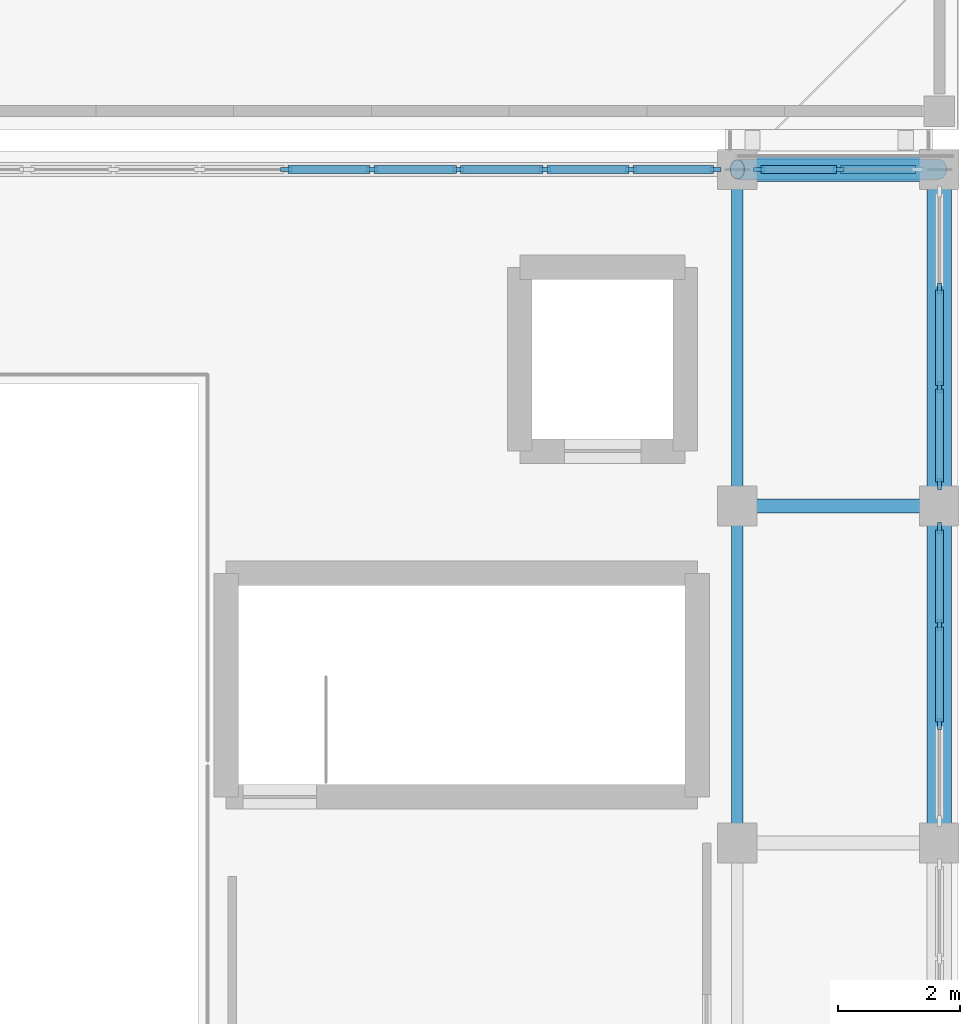
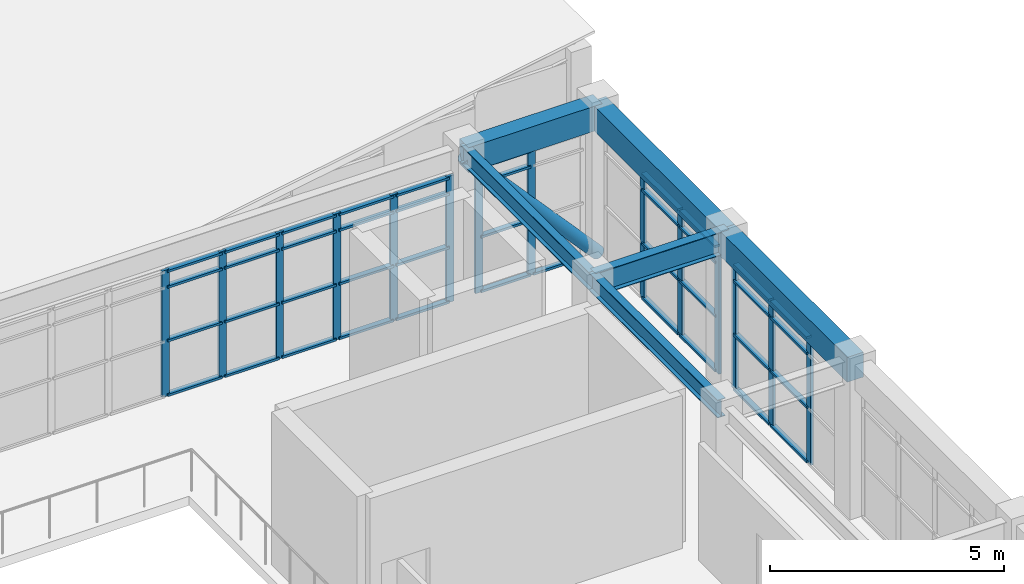
# One storey, part 27 of 66: 56 members, 6 beams, 4 elements without a shape of their own.
"""IFC4 building model written with IfcOpenShell, lengths in metres."""

from ifc_helpers import new_model, si_unit, direction, frame, origin, origin_2d, place, context, subcontext, project, spatial, rectangle, hollow_circle, i_section, extrude, material, layer, layer_set, material_profile, profile_set, type_object, element, aggregate, save


model = new_model("IFC4")

# Units and contexts
model_context = context("Model", 3, precision=1e-05, world=origin(), true_north=direction((0.0, 1.0)))
body_context = subcontext(model_context, "Body", "Model", "MODEL_VIEW")
ifc_project = project(units=[si_unit("LENGTHUNIT", "METRE"), si_unit("AREAUNIT", "SQUARE_METRE"), si_unit("VOLUMEUNIT", "CUBIC_METRE"), si_unit("PLANEANGLEUNIT", "RADIAN"), si_unit("MASSUNIT", "GRAM", prefix="KILO")], contexts=[model_context])

# Site, building, storey
site_placement = place(None, origin())
site = spatial("IfcSite", under=ifc_project, at=site_placement, CompositionType="ELEMENT")
building_placement = place(site_placement, origin())
building = spatial("IfcBuilding", under=site, at=building_placement, Name="Candilejo Ridge Gondola Terminal", CompositionType="ELEMENT")
storey_placement = place(building_placement, frame((0.0, 0.0, 14.39990234375)))
storey = spatial("IfcBuildingStorey", under=building, at=storey_placement, Name="L03", CompositionType="ELEMENT", Elevation=14.39990234375)

# Curtain wall, members
ifc_material_1 = material(Name="Anodised aluminium AA 6063-T6", Category="aluminium")
ifc_layer_1 = layer(ifc_material_1, 0.169921875)
ifc_layer_set_1 = layer_set([ifc_layer_1], Name="ARC-CW-HALL-3800-485X329")
curtain_wall_type_1 = type_object("IfcCurtainWallType", Name="ARC-CW-HALL-3800-485X329", PredefinedType="NOTDEFINED", material=ifc_layer_set_1)
curtain_wall_1_placement = place(storey_placement, origin())
curtain_wall_1 = element("IfcCurtainWall", 1, at=curtain_wall_1_placement, inside=storey, type_object=curtain_wall_type_1, Name="Curtain wall V4 L03-161", PredefinedType="NOTDEFINED")
ifc_material_2 = material(Name="Anodised aluminium AA 6063-T6", Category="aluminium")
ifc_material_profile_1 = material_profile(ifc_material_2, rectangle(XDim=0.06494140625, YDim=0.179931640625, at=origin_2d()))
ifc_profile_set_1 = profile_set([ifc_material_profile_1], Name="Anodised aluminium AA 6063-T6")
member_type_1 = type_object("IfcMemberType", Name="ARC-CW-MULLION-180", PredefinedType="MULLION", material=ifc_profile_set_1)
member_1_placement = place(storey_placement, frame((175.300048828125, 38.6416015625, 0.0), z_axis=(0.0, 0.0, 1.0), x_axis=(-1.0, 0.0, 0.0)))
member_1 = element("IfcMember", 2, at=member_1_placement, type_object=member_type_1, Name="CW-48X32 mullion 2", PredefinedType="MULLION", context=body_context, shape_type="SweptSolid", body=[
    extrude(rectangle(XDim=0.06494140625, YDim=0.179931640625, at=origin_2d()), origin(), (0.0, 0.0, 1.0), 3.2900390625),
])
member_2_placement = place(storey_placement, frame((175.300048828125, 40.25830078125, 0.0), z_axis=(0.0, 0.0, 1.0), x_axis=(-1.0, 0.0, 0.0)))
member_2 = element("IfcMember", 3, at=member_2_placement, type_object=member_type_1, Name="CW-48X32 mullion 3", PredefinedType="MULLION", context=body_context, shape_type="SweptSolid", body=[
    extrude(rectangle(XDim=0.06494140625, YDim=0.179931640625, at=origin_2d()), origin(), (0.0, 0.0, 1.0), 3.2900390625),
])
member_3_placement = place(storey_placement, frame((175.300048828125, 41.842529296875, 0.0), z_axis=(0.0, 0.0, 1.0), x_axis=(-1.0, 0.0, 0.0)))
member_3 = element("IfcMember", 4, at=member_3_placement, type_object=member_type_1, Name="CW-48X32 mullion 4", PredefinedType="MULLION", context=body_context, shape_type="SweptSolid", body=[
    extrude(rectangle(XDim=0.06494140625, YDim=0.179931640625, at=origin_2d()), origin(), (0.0, 0.0, 1.0), 3.2900390625),
])

curtain_wall_2_placement = place(storey_placement, origin())
curtain_wall_2 = element("IfcCurtainWall", 5, at=curtain_wall_2_placement, inside=storey, type_object=curtain_wall_type_1, Name="Curtain wall V4 L03-163", PredefinedType="NOTDEFINED")
member_4_placement = place(storey_placement, frame((175.300048828125, 42.5576171875, 0.0), z_axis=(0.0, 0.0, 1.0), x_axis=(-1.0, 0.0, 0.0)))
member_4 = element("IfcMember", 6, at=member_4_placement, type_object=member_type_1, Name="CW-48X32 mullion 1", PredefinedType="MULLION", context=body_context, shape_type="SweptSolid", body=[
    extrude(rectangle(XDim=0.06494140625, YDim=0.179931640625, at=origin_2d()), origin(), (0.0, 0.0, 1.0), 3.2900390625),
])
member_5_placement = place(storey_placement, frame((175.300048828125, 44.1416015625, 0.0), z_axis=(0.0, 0.0, 1.0), x_axis=(-1.0, 0.0, 0.0)))
member_5 = element("IfcMember", 7, at=member_5_placement, type_object=member_type_1, Name="CW-48X32 mullion 2", PredefinedType="MULLION", context=body_context, shape_type="SweptSolid", body=[
    extrude(rectangle(XDim=0.06494140625, YDim=0.179931640625, at=origin_2d()), origin(), (0.0, 0.0, 1.0), 3.2900390625),
])
member_6_placement = place(storey_placement, frame((175.300048828125, 45.75830078125, 0.0), z_axis=(0.0, 0.0, 1.0), x_axis=(-1.0, 0.0, 0.0)))
member_6 = element("IfcMember", 8, at=member_6_placement, type_object=member_type_1, Name="CW-48X32 mullion 3", PredefinedType="MULLION", context=body_context, shape_type="SweptSolid", body=[
    extrude(rectangle(XDim=0.06494140625, YDim=0.179931640625, at=origin_2d()), origin(), (0.0, 0.0, 1.0), 3.2900390625),
])

ifc_material_3 = material(Name="Anodised aluminium AA 6063-T6", Category="aluminium")
ifc_layer_2 = layer(ifc_material_3, 0.169921875)
ifc_layer_set_2 = layer_set([ifc_layer_2], Name="ARC-CW-HALL-3800-265X329")
curtain_wall_type_2 = type_object("IfcCurtainWallType", Name="ARC-CW-HALL-3800-265X329", PredefinedType="NOTDEFINED", material=ifc_layer_set_2)
curtain_wall_3_placement = place(storey_placement, origin())
curtain_wall_3 = element("IfcCurtainWall", 9, at=curtain_wall_3_placement, inside=storey, type_object=curtain_wall_type_2, Name="Curtain wall V4 L03-170", PredefinedType="NOTDEFINED")
member_7_placement = place(storey_placement, frame((172.357421875, 47.699951171875, 0.0), z_axis=(0.0, 0.0, 1.0), x_axis=(0.0, 1.0, 0.0)))
member_7 = element("IfcMember", 10, at=member_7_placement, type_object=member_type_1, Name="CW-26X32 mullion 1", PredefinedType="MULLION", context=body_context, shape_type="SweptSolid", body=[
    extrude(rectangle(XDim=0.06494140625, YDim=0.179931640625, at=origin_2d()), origin(), (0.0, 0.0, 1.0), 3.2900390625),
])
member_8_placement = place(storey_placement, frame((173.64990234375, 47.699951171875, 0.0), z_axis=(0.0, 0.0, 1.0), x_axis=(0.0, 1.0, 0.0)))
member_8 = element("IfcMember", 11, at=member_8_placement, type_object=member_type_1, Name="CW-26X32 mullion 2", PredefinedType="MULLION", context=body_context, shape_type="SweptSolid", body=[
    extrude(rectangle(XDim=0.06494140625, YDim=0.179931640625, at=origin_2d()), origin(), (0.0, 0.0, 1.0), 3.2900390625),
])

ifc_material_4 = material(Name="Anodised aluminium AA 6063-T6", Category="aluminium")
ifc_layer_3 = layer(ifc_material_4, 0.169921875)
ifc_layer_set_3 = layer_set([ifc_layer_3], Name="ARC-CW-HALL-3800-1128X329")
curtain_wall_type_3 = type_object("IfcCurtainWallType", Name="ARC-CW-HALL-3800-1128X329", PredefinedType="NOTDEFINED", material=ifc_layer_set_3)
curtain_wall_4_placement = place(storey_placement, origin())
curtain_wall_4 = element("IfcCurtainWall", 12, at=curtain_wall_4_placement, inside=storey, type_object=curtain_wall_type_3, Name="Curtain wall V4 L03-173", PredefinedType="NOTDEFINED")
member_9_placement = place(storey_placement, frame((164.628173828125, 47.699951171875, 0.0), z_axis=(0.0, 0.0, 1.0), x_axis=(0.0, 1.0, 0.0)))
member_9 = element("IfcMember", 13, at=member_9_placement, type_object=member_type_1, Name="CW-112X32 mullion 4", PredefinedType="MULLION", context=body_context, shape_type="SweptSolid", body=[
    extrude(rectangle(XDim=0.06494140625, YDim=0.179931640625, at=origin_2d()), origin(), (0.0, 0.0, 1.0), 3.2900390625),
])
member_10_placement = place(storey_placement, frame((166.03759765625, 47.699951171875, 0.0), z_axis=(0.0, 0.0, 1.0), x_axis=(0.0, 1.0, 0.0)))
member_10 = element("IfcMember", 14, at=member_10_placement, type_object=member_type_1, Name="CW-112X32 mullion 5", PredefinedType="MULLION", context=body_context, shape_type="SweptSolid", body=[
    extrude(rectangle(XDim=0.06494140625, YDim=0.179931640625, at=origin_2d()), origin(), (0.0, 0.0, 1.0), 3.2900390625),
])
member_11_placement = place(storey_placement, frame((167.44677734375, 47.699951171875, 0.0), z_axis=(0.0, 0.0, 1.0), x_axis=(0.0, 1.0, 0.0)))
member_11 = element("IfcMember", 15, at=member_11_placement, type_object=member_type_1, Name="CW-112X32 mullion 6", PredefinedType="MULLION", context=body_context, shape_type="SweptSolid", body=[
    extrude(rectangle(XDim=0.06494140625, YDim=0.179931640625, at=origin_2d()), origin(), (0.0, 0.0, 1.0), 3.2900390625),
])
member_12_placement = place(storey_placement, frame((168.856201171875, 47.699951171875, 0.0), z_axis=(0.0, 0.0, 1.0), x_axis=(0.0, 1.0, 0.0)))
member_12 = element("IfcMember", 16, at=member_12_placement, type_object=member_type_1, Name="CW-112X32 mullion 7", PredefinedType="MULLION", context=body_context, shape_type="SweptSolid", body=[
    extrude(rectangle(XDim=0.06494140625, YDim=0.179931640625, at=origin_2d()), origin(), (0.0, 0.0, 1.0), 3.2900390625),
])
member_13_placement = place(storey_placement, frame((170.265625, 47.699951171875, 0.0), z_axis=(0.0, 0.0, 1.0), x_axis=(0.0, 1.0, 0.0)))
member_13 = element("IfcMember", 17, at=member_13_placement, type_object=member_type_1, Name="CW-112X32 mullion 8", PredefinedType="MULLION", context=body_context, shape_type="SweptSolid", body=[
    extrude(rectangle(XDim=0.06494140625, YDim=0.179931640625, at=origin_2d()), origin(), (0.0, 0.0, 1.0), 3.2900390625),
])
member_14_placement = place(storey_placement, frame((171.642578125, 47.699951171875, 0.0), z_axis=(0.0, 0.0, 1.0), x_axis=(0.0, 1.0, 0.0)))
member_14 = element("IfcMember", 18, at=member_14_placement, type_object=member_type_1, Name="CW-112X32 mullion 9", PredefinedType="MULLION", context=body_context, shape_type="SweptSolid", body=[
    extrude(rectangle(XDim=0.06494140625, YDim=0.179931640625, at=origin_2d()), origin(), (0.0, 0.0, 1.0), 3.2900390625),
])

# Member
ifc_material_5 = material(Name="Anodised aluminium AA 6063-T6", Category="aluminium")
ifc_material_profile_2 = material_profile(ifc_material_5, rectangle(XDim=0.1298828125, YDim=0.06005859375, at=origin_2d()))
ifc_profile_set_2 = profile_set([ifc_material_profile_2], Name="Anodised aluminium AA 6063-T6")
member_type_2 = type_object("IfcMemberType", Name="ARC-CW-TRANSOM-130", PredefinedType="USERDEFINED", material=ifc_profile_set_2)
member_15_placement = place(storey_placement, frame((175.300048828125, 38.674072265625, 0.030029296875), z_axis=(0.0, 1.0, 0.0), x_axis=(-1.0, 0.0, 0.0)))
member_15 = element("IfcMember", 19, at=member_15_placement, type_object=member_type_2, Name="CW-48X32 transom 2.1", ObjectType="TRANSOM", PredefinedType="USERDEFINED", context=body_context, shape_type="SweptSolid", body=[
    extrude(rectangle(XDim=0.1298828125, YDim=0.06005859375, at=origin_2d()), origin(), (0.0, 0.0, 1.0), 1.5517578125),
])

member_16_placement = place(storey_placement, frame((175.300048828125, 38.674072265625, 1.4501953125), z_axis=(0.0, 1.0, 0.0), x_axis=(-1.0, 0.0, 0.0)))
member_16 = element("IfcMember", 20, at=member_16_placement, type_object=member_type_2, Name="CW-48X32 transom 2.2", ObjectType="TRANSOM", PredefinedType="USERDEFINED", context=body_context, shape_type="SweptSolid", body=[
    extrude(rectangle(XDim=0.1298828125, YDim=0.06005859375, at=origin_2d()), origin(), (0.0, 0.0, 1.0), 1.5517578125),
])

member_17_placement = place(storey_placement, frame((175.300048828125, 38.674072265625, 2.85009765625), z_axis=(0.0, 1.0, 0.0), x_axis=(-1.0, 0.0, 0.0)))
member_17 = element("IfcMember", 21, at=member_17_placement, type_object=member_type_2, Name="CW-48X32 transom 2.3", ObjectType="TRANSOM", PredefinedType="USERDEFINED", context=body_context, shape_type="SweptSolid", body=[
    extrude(rectangle(XDim=0.1298828125, YDim=0.06005859375, at=origin_2d()), origin(), (0.0, 0.0, 1.0), 1.5517578125),
])

member_18_placement = place(storey_placement, frame((175.300048828125, 38.674072265625, 3.260009765625), z_axis=(0.0, 1.0, 0.0), x_axis=(-1.0, 0.0, 0.0)))
member_18 = element("IfcMember", 22, at=member_18_placement, type_object=member_type_2, Name="CW-48X32 transom 2.4", ObjectType="TRANSOM", PredefinedType="USERDEFINED", context=body_context, shape_type="SweptSolid", body=[
    extrude(rectangle(XDim=0.1298828125, YDim=0.06005859375, at=origin_2d()), origin(), (0.0, 0.0, 1.0), 1.5517578125),
])

member_19_placement = place(storey_placement, frame((175.300048828125, 40.290771484375, 0.030029296875), z_axis=(0.0, 1.0, 0.0), x_axis=(-1.0, 0.0, 0.0)))
member_19 = element("IfcMember", 23, at=member_19_placement, type_object=member_type_2, Name="CW-48X32 transom 3.1", ObjectType="TRANSOM", PredefinedType="USERDEFINED", context=body_context, shape_type="SweptSolid", body=[
    extrude(rectangle(XDim=0.1298828125, YDim=0.06005859375, at=origin_2d()), origin(), (0.0, 0.0, 1.0), 1.519287109375),
])

member_20_placement = place(storey_placement, frame((175.300048828125, 40.290771484375, 1.4501953125), z_axis=(0.0, 1.0, 0.0), x_axis=(-1.0, 0.0, 0.0)))
member_20 = element("IfcMember", 24, at=member_20_placement, type_object=member_type_2, Name="CW-48X32 transom 3.2", ObjectType="TRANSOM", PredefinedType="USERDEFINED", context=body_context, shape_type="SweptSolid", body=[
    extrude(rectangle(XDim=0.1298828125, YDim=0.06005859375, at=origin_2d()), origin(), (0.0, 0.0, 1.0), 1.519287109375),
])

member_21_placement = place(storey_placement, frame((175.300048828125, 40.290771484375, 2.85009765625), z_axis=(0.0, 1.0, 0.0), x_axis=(-1.0, 0.0, 0.0)))
member_21 = element("IfcMember", 25, at=member_21_placement, type_object=member_type_2, Name="CW-48X32 transom 3.3", ObjectType="TRANSOM", PredefinedType="USERDEFINED", context=body_context, shape_type="SweptSolid", body=[
    extrude(rectangle(XDim=0.1298828125, YDim=0.06005859375, at=origin_2d()), origin(), (0.0, 0.0, 1.0), 1.519287109375),
])

member_22_placement = place(storey_placement, frame((175.300048828125, 40.290771484375, 3.260009765625), z_axis=(0.0, 1.0, 0.0), x_axis=(-1.0, 0.0, 0.0)))
member_22 = element("IfcMember", 26, at=member_22_placement, type_object=member_type_2, Name="CW-48X32 transom 3.4", ObjectType="TRANSOM", PredefinedType="USERDEFINED", context=body_context, shape_type="SweptSolid", body=[
    extrude(rectangle(XDim=0.1298828125, YDim=0.06005859375, at=origin_2d()), origin(), (0.0, 0.0, 1.0), 1.519287109375),
])

aggregate(curtain_wall_1, [member_1, member_2, member_3, member_15, member_16, member_17, member_18, member_19, member_20, member_21, member_22])

member_23_placement = place(storey_placement, frame((175.300048828125, 42.590087890625, 0.030029296875), z_axis=(0.0, 1.0, 0.0), x_axis=(-1.0, 0.0, 0.0)))
member_23 = element("IfcMember", 27, at=member_23_placement, type_object=member_type_2, Name="CW-48X32 transom 1.1", ObjectType="TRANSOM", PredefinedType="USERDEFINED", context=body_context, shape_type="SweptSolid", body=[
    extrude(rectangle(XDim=0.1298828125, YDim=0.06005859375, at=origin_2d()), origin(), (0.0, 0.0, 1.0), 1.51904296875),
])

member_24_placement = place(storey_placement, frame((175.300048828125, 42.590087890625, 1.4501953125), z_axis=(0.0, 1.0, 0.0), x_axis=(-1.0, 0.0, 0.0)))
member_24 = element("IfcMember", 28, at=member_24_placement, type_object=member_type_2, Name="CW-48X32 transom 1.2", ObjectType="TRANSOM", PredefinedType="USERDEFINED", context=body_context, shape_type="SweptSolid", body=[
    extrude(rectangle(XDim=0.1298828125, YDim=0.06005859375, at=origin_2d()), origin(), (0.0, 0.0, 1.0), 1.51904296875),
])

member_25_placement = place(storey_placement, frame((175.300048828125, 42.590087890625, 2.85009765625), z_axis=(0.0, 1.0, 0.0), x_axis=(-1.0, 0.0, 0.0)))
member_25 = element("IfcMember", 29, at=member_25_placement, type_object=member_type_2, Name="CW-48X32 transom 1.3", ObjectType="TRANSOM", PredefinedType="USERDEFINED", context=body_context, shape_type="SweptSolid", body=[
    extrude(rectangle(XDim=0.1298828125, YDim=0.06005859375, at=origin_2d()), origin(), (0.0, 0.0, 1.0), 1.51904296875),
])

member_26_placement = place(storey_placement, frame((175.300048828125, 42.590087890625, 3.260009765625), z_axis=(0.0, 1.0, 0.0), x_axis=(-1.0, 0.0, 0.0)))
member_26 = element("IfcMember", 30, at=member_26_placement, type_object=member_type_2, Name="CW-48X32 transom 1.4", ObjectType="TRANSOM", PredefinedType="USERDEFINED", context=body_context, shape_type="SweptSolid", body=[
    extrude(rectangle(XDim=0.1298828125, YDim=0.06005859375, at=origin_2d()), origin(), (0.0, 0.0, 1.0), 1.51904296875),
])

member_27_placement = place(storey_placement, frame((175.300048828125, 44.174072265625, 0.030029296875), z_axis=(0.0, 1.0, 0.0), x_axis=(-1.0, 0.0, 0.0)))
member_27 = element("IfcMember", 31, at=member_27_placement, type_object=member_type_2, Name="CW-48X32 transom 2.1", ObjectType="TRANSOM", PredefinedType="USERDEFINED", context=body_context, shape_type="SweptSolid", body=[
    extrude(rectangle(XDim=0.1298828125, YDim=0.06005859375, at=origin_2d()), origin(), (0.0, 0.0, 1.0), 1.5517578125),
])

member_28_placement = place(storey_placement, frame((175.300048828125, 44.174072265625, 1.4501953125), z_axis=(0.0, 1.0, 0.0), x_axis=(-1.0, 0.0, 0.0)))
member_28 = element("IfcMember", 32, at=member_28_placement, type_object=member_type_2, Name="CW-48X32 transom 2.2", ObjectType="TRANSOM", PredefinedType="USERDEFINED", context=body_context, shape_type="SweptSolid", body=[
    extrude(rectangle(XDim=0.1298828125, YDim=0.06005859375, at=origin_2d()), origin(), (0.0, 0.0, 1.0), 1.5517578125),
])

member_29_placement = place(storey_placement, frame((175.300048828125, 44.174072265625, 2.85009765625), z_axis=(0.0, 1.0, 0.0), x_axis=(-1.0, 0.0, 0.0)))
member_29 = element("IfcMember", 33, at=member_29_placement, type_object=member_type_2, Name="CW-48X32 transom 2.3", ObjectType="TRANSOM", PredefinedType="USERDEFINED", context=body_context, shape_type="SweptSolid", body=[
    extrude(rectangle(XDim=0.1298828125, YDim=0.06005859375, at=origin_2d()), origin(), (0.0, 0.0, 1.0), 1.5517578125),
])

member_30_placement = place(storey_placement, frame((175.300048828125, 44.174072265625, 3.260009765625), z_axis=(0.0, 1.0, 0.0), x_axis=(-1.0, 0.0, 0.0)))
member_30 = element("IfcMember", 34, at=member_30_placement, type_object=member_type_2, Name="CW-48X32 transom 2.4", ObjectType="TRANSOM", PredefinedType="USERDEFINED", context=body_context, shape_type="SweptSolid", body=[
    extrude(rectangle(XDim=0.1298828125, YDim=0.06005859375, at=origin_2d()), origin(), (0.0, 0.0, 1.0), 1.5517578125),
])

aggregate(curtain_wall_2, [member_4, member_5, member_6, member_23, member_24, member_25, member_26, member_27, member_28, member_29, member_30])

member_31_placement = place(storey_placement, frame((172.389892578125, 47.699951171875, 0.030029296875), z_axis=(1.0, 0.0, 0.0), x_axis=(0.0, 1.0, 0.0)))
member_31 = element("IfcMember", 35, at=member_31_placement, type_object=member_type_2, Name="CW-26X32 transom 1.1", ObjectType="TRANSOM", PredefinedType="USERDEFINED", context=body_context, shape_type="SweptSolid", body=[
    extrude(rectangle(XDim=0.1298828125, YDim=0.06005859375, at=origin_2d()), origin(), (0.0, 0.0, 1.0), 1.2275390625),
])

member_32_placement = place(storey_placement, frame((172.389892578125, 47.699951171875, 1.4501953125), z_axis=(1.0, 0.0, 0.0), x_axis=(0.0, 1.0, 0.0)))
member_32 = element("IfcMember", 36, at=member_32_placement, type_object=member_type_2, Name="CW-26X32 transom 1.2", ObjectType="TRANSOM", PredefinedType="USERDEFINED", context=body_context, shape_type="SweptSolid", body=[
    extrude(rectangle(XDim=0.1298828125, YDim=0.06005859375, at=origin_2d()), origin(), (0.0, 0.0, 1.0), 1.2275390625),
])

member_33_placement = place(storey_placement, frame((172.389892578125, 47.699951171875, 2.85009765625), z_axis=(1.0, 0.0, 0.0), x_axis=(0.0, 1.0, 0.0)))
member_33 = element("IfcMember", 37, at=member_33_placement, type_object=member_type_2, Name="CW-26X32 transom 1.3", ObjectType="TRANSOM", PredefinedType="USERDEFINED", context=body_context, shape_type="SweptSolid", body=[
    extrude(rectangle(XDim=0.1298828125, YDim=0.06005859375, at=origin_2d()), origin(), (0.0, 0.0, 1.0), 1.2275390625),
])

member_34_placement = place(storey_placement, frame((172.389892578125, 47.699951171875, 3.260009765625), z_axis=(1.0, 0.0, 0.0), x_axis=(0.0, 1.0, 0.0)))
member_34 = element("IfcMember", 38, at=member_34_placement, type_object=member_type_2, Name="CW-26X32 transom 1.4", ObjectType="TRANSOM", PredefinedType="USERDEFINED", context=body_context, shape_type="SweptSolid", body=[
    extrude(rectangle(XDim=0.1298828125, YDim=0.06005859375, at=origin_2d()), origin(), (0.0, 0.0, 1.0), 1.2275390625),
])

member_35_placement = place(storey_placement, frame((173.6826171875, 47.699951171875, 0.030029296875), z_axis=(1.0, 0.0, 0.0), x_axis=(0.0, 1.0, 0.0)))
member_35 = element("IfcMember", 39, at=member_35_placement, type_object=member_type_2, Name="CW-26X32 transom 2.1", ObjectType="TRANSOM", PredefinedType="USERDEFINED", context=body_context, shape_type="SweptSolid", body=[
    extrude(rectangle(XDim=0.1298828125, YDim=0.06005859375, at=origin_2d()), origin(), (0.0, 0.0, 1.0), 1.227294921875),
])

aggregate(curtain_wall_3, [member_7, member_8, member_31, member_32, member_33, member_34, member_35])

member_36_placement = place(storey_placement, frame((164.66064453125, 47.699951171875, 0.030029296875), z_axis=(1.0, 0.0, 0.0), x_axis=(0.0, 1.0, 0.0)))
member_36 = element("IfcMember", 40, at=member_36_placement, type_object=member_type_2, Name="CW-112X32 transom 4.1", ObjectType="TRANSOM", PredefinedType="USERDEFINED", context=body_context, shape_type="SweptSolid", body=[
    extrude(rectangle(XDim=0.1298828125, YDim=0.06005859375, at=origin_2d()), origin(), (0.0, 0.0, 1.0), 1.34423828125),
])

member_37_placement = place(storey_placement, frame((164.66064453125, 47.699951171875, 1.4501953125), z_axis=(1.0, 0.0, 0.0), x_axis=(0.0, 1.0, 0.0)))
member_37 = element("IfcMember", 41, at=member_37_placement, type_object=member_type_2, Name="CW-112X32 transom 4.2", ObjectType="TRANSOM", PredefinedType="USERDEFINED", context=body_context, shape_type="SweptSolid", body=[
    extrude(rectangle(XDim=0.1298828125, YDim=0.06005859375, at=origin_2d()), origin(), (0.0, 0.0, 1.0), 1.34423828125),
])

member_38_placement = place(storey_placement, frame((164.66064453125, 47.699951171875, 2.85009765625), z_axis=(1.0, 0.0, 0.0), x_axis=(0.0, 1.0, 0.0)))
member_38 = element("IfcMember", 42, at=member_38_placement, type_object=member_type_2, Name="CW-112X32 transom 4.3", ObjectType="TRANSOM", PredefinedType="USERDEFINED", context=body_context, shape_type="SweptSolid", body=[
    extrude(rectangle(XDim=0.1298828125, YDim=0.06005859375, at=origin_2d()), origin(), (0.0, 0.0, 1.0), 1.34423828125),
])

member_39_placement = place(storey_placement, frame((164.66064453125, 47.699951171875, 3.260009765625), z_axis=(1.0, 0.0, 0.0), x_axis=(0.0, 1.0, 0.0)))
member_39 = element("IfcMember", 43, at=member_39_placement, type_object=member_type_2, Name="CW-112X32 transom 4.4", ObjectType="TRANSOM", PredefinedType="USERDEFINED", context=body_context, shape_type="SweptSolid", body=[
    extrude(rectangle(XDim=0.1298828125, YDim=0.06005859375, at=origin_2d()), origin(), (0.0, 0.0, 1.0), 1.34423828125),
])

member_40_placement = place(storey_placement, frame((166.070068359375, 47.699951171875, 0.030029296875), z_axis=(1.0, 0.0, 0.0), x_axis=(0.0, 1.0, 0.0)))
member_40 = element("IfcMember", 44, at=member_40_placement, type_object=member_type_2, Name="CW-112X32 transom 5.1", ObjectType="TRANSOM", PredefinedType="USERDEFINED", context=body_context, shape_type="SweptSolid", body=[
    extrude(rectangle(XDim=0.1298828125, YDim=0.06005859375, at=origin_2d()), origin(), (0.0, 0.0, 1.0), 1.34423828125),
])

member_41_placement = place(storey_placement, frame((166.070068359375, 47.699951171875, 1.4501953125), z_axis=(1.0, 0.0, 0.0), x_axis=(0.0, 1.0, 0.0)))
member_41 = element("IfcMember", 45, at=member_41_placement, type_object=member_type_2, Name="CW-112X32 transom 5.2", ObjectType="TRANSOM", PredefinedType="USERDEFINED", context=body_context, shape_type="SweptSolid", body=[
    extrude(rectangle(XDim=0.1298828125, YDim=0.06005859375, at=origin_2d()), origin(), (0.0, 0.0, 1.0), 1.34423828125),
])

member_42_placement = place(storey_placement, frame((166.070068359375, 47.699951171875, 2.85009765625), z_axis=(1.0, 0.0, 0.0), x_axis=(0.0, 1.0, 0.0)))
member_42 = element("IfcMember", 46, at=member_42_placement, type_object=member_type_2, Name="CW-112X32 transom 5.3", ObjectType="TRANSOM", PredefinedType="USERDEFINED", context=body_context, shape_type="SweptSolid", body=[
    extrude(rectangle(XDim=0.1298828125, YDim=0.06005859375, at=origin_2d()), origin(), (0.0, 0.0, 1.0), 1.34423828125),
])

member_43_placement = place(storey_placement, frame((166.070068359375, 47.699951171875, 3.260009765625), z_axis=(1.0, 0.0, 0.0), x_axis=(0.0, 1.0, 0.0)))
member_43 = element("IfcMember", 47, at=member_43_placement, type_object=member_type_2, Name="CW-112X32 transom 5.4", ObjectType="TRANSOM", PredefinedType="USERDEFINED", context=body_context, shape_type="SweptSolid", body=[
    extrude(rectangle(XDim=0.1298828125, YDim=0.06005859375, at=origin_2d()), origin(), (0.0, 0.0, 1.0), 1.34423828125),
])

member_44_placement = place(storey_placement, frame((167.4794921875, 47.699951171875, 0.030029296875), z_axis=(1.0, 0.0, 0.0), x_axis=(0.0, 1.0, 0.0)))
member_44 = element("IfcMember", 48, at=member_44_placement, type_object=member_type_2, Name="CW-112X32 transom 6.1", ObjectType="TRANSOM", PredefinedType="USERDEFINED", context=body_context, shape_type="SweptSolid", body=[
    extrude(rectangle(XDim=0.1298828125, YDim=0.06005859375, at=origin_2d()), origin(), (0.0, 0.0, 1.0), 1.34423828125),
])

member_45_placement = place(storey_placement, frame((167.4794921875, 47.699951171875, 1.4501953125), z_axis=(1.0, 0.0, 0.0), x_axis=(0.0, 1.0, 0.0)))
member_45 = element("IfcMember", 49, at=member_45_placement, type_object=member_type_2, Name="CW-112X32 transom 6.2", ObjectType="TRANSOM", PredefinedType="USERDEFINED", context=body_context, shape_type="SweptSolid", body=[
    extrude(rectangle(XDim=0.1298828125, YDim=0.06005859375, at=origin_2d()), origin(), (0.0, 0.0, 1.0), 1.34423828125),
])

member_46_placement = place(storey_placement, frame((167.4794921875, 47.699951171875, 2.85009765625), z_axis=(1.0, 0.0, 0.0), x_axis=(0.0, 1.0, 0.0)))
member_46 = element("IfcMember", 50, at=member_46_placement, type_object=member_type_2, Name="CW-112X32 transom 6.3", ObjectType="TRANSOM", PredefinedType="USERDEFINED", context=body_context, shape_type="SweptSolid", body=[
    extrude(rectangle(XDim=0.1298828125, YDim=0.06005859375, at=origin_2d()), origin(), (0.0, 0.0, 1.0), 1.34423828125),
])

member_47_placement = place(storey_placement, frame((167.4794921875, 47.699951171875, 3.260009765625), z_axis=(1.0, 0.0, 0.0), x_axis=(0.0, 1.0, 0.0)))
member_47 = element("IfcMember", 51, at=member_47_placement, type_object=member_type_2, Name="CW-112X32 transom 6.4", ObjectType="TRANSOM", PredefinedType="USERDEFINED", context=body_context, shape_type="SweptSolid", body=[
    extrude(rectangle(XDim=0.1298828125, YDim=0.06005859375, at=origin_2d()), origin(), (0.0, 0.0, 1.0), 1.34423828125),
])

member_48_placement = place(storey_placement, frame((168.888671875, 47.699951171875, 0.030029296875), z_axis=(1.0, 0.0, 0.0), x_axis=(0.0, 1.0, 0.0)))
member_48 = element("IfcMember", 52, at=member_48_placement, type_object=member_type_2, Name="CW-112X32 transom 7.1", ObjectType="TRANSOM", PredefinedType="USERDEFINED", context=body_context, shape_type="SweptSolid", body=[
    extrude(rectangle(XDim=0.1298828125, YDim=0.06005859375, at=origin_2d()), origin(), (0.0, 0.0, 1.0), 1.344482421875),
])

member_49_placement = place(storey_placement, frame((168.888671875, 47.699951171875, 1.4501953125), z_axis=(1.0, 0.0, 0.0), x_axis=(0.0, 1.0, 0.0)))
member_49 = element("IfcMember", 53, at=member_49_placement, type_object=member_type_2, Name="CW-112X32 transom 7.2", ObjectType="TRANSOM", PredefinedType="USERDEFINED", context=body_context, shape_type="SweptSolid", body=[
    extrude(rectangle(XDim=0.1298828125, YDim=0.06005859375, at=origin_2d()), origin(), (0.0, 0.0, 1.0), 1.344482421875),
])

member_50_placement = place(storey_placement, frame((168.888671875, 47.699951171875, 2.85009765625), z_axis=(1.0, 0.0, 0.0), x_axis=(0.0, 1.0, 0.0)))
member_50 = element("IfcMember", 54, at=member_50_placement, type_object=member_type_2, Name="CW-112X32 transom 7.3", ObjectType="TRANSOM", PredefinedType="USERDEFINED", context=body_context, shape_type="SweptSolid", body=[
    extrude(rectangle(XDim=0.1298828125, YDim=0.06005859375, at=origin_2d()), origin(), (0.0, 0.0, 1.0), 1.344482421875),
])

member_51_placement = place(storey_placement, frame((168.888671875, 47.699951171875, 3.260009765625), z_axis=(1.0, 0.0, 0.0), x_axis=(0.0, 1.0, 0.0)))
member_51 = element("IfcMember", 55, at=member_51_placement, type_object=member_type_2, Name="CW-112X32 transom 7.4", ObjectType="TRANSOM", PredefinedType="USERDEFINED", context=body_context, shape_type="SweptSolid", body=[
    extrude(rectangle(XDim=0.1298828125, YDim=0.06005859375, at=origin_2d()), origin(), (0.0, 0.0, 1.0), 1.344482421875),
])

member_52_placement = place(storey_placement, frame((170.298095703125, 47.699951171875, 0.030029296875), z_axis=(1.0, 0.0, 0.0), x_axis=(0.0, 1.0, 0.0)))
member_52 = element("IfcMember", 56, at=member_52_placement, type_object=member_type_2, Name="CW-112X32 transom 8.1", ObjectType="TRANSOM", PredefinedType="USERDEFINED", context=body_context, shape_type="SweptSolid", body=[
    extrude(rectangle(XDim=0.1298828125, YDim=0.06005859375, at=origin_2d()), origin(), (0.0, 0.0, 1.0), 1.31201171875),
])

member_53_placement = place(storey_placement, frame((170.298095703125, 47.699951171875, 1.4501953125), z_axis=(1.0, 0.0, 0.0), x_axis=(0.0, 1.0, 0.0)))
member_53 = element("IfcMember", 57, at=member_53_placement, type_object=member_type_2, Name="CW-112X32 transom 8.2", ObjectType="TRANSOM", PredefinedType="USERDEFINED", context=body_context, shape_type="SweptSolid", body=[
    extrude(rectangle(XDim=0.1298828125, YDim=0.06005859375, at=origin_2d()), origin(), (0.0, 0.0, 1.0), 1.31201171875),
])

member_54_placement = place(storey_placement, frame((170.298095703125, 47.699951171875, 2.85009765625), z_axis=(1.0, 0.0, 0.0), x_axis=(0.0, 1.0, 0.0)))
member_54 = element("IfcMember", 58, at=member_54_placement, type_object=member_type_2, Name="CW-112X32 transom 8.3", ObjectType="TRANSOM", PredefinedType="USERDEFINED", context=body_context, shape_type="SweptSolid", body=[
    extrude(rectangle(XDim=0.1298828125, YDim=0.06005859375, at=origin_2d()), origin(), (0.0, 0.0, 1.0), 1.31201171875),
])

member_55_placement = place(storey_placement, frame((170.298095703125, 47.699951171875, 3.260009765625), z_axis=(1.0, 0.0, 0.0), x_axis=(0.0, 1.0, 0.0)))
member_55 = element("IfcMember", 59, at=member_55_placement, type_object=member_type_2, Name="CW-112X32 transom 8.4", ObjectType="TRANSOM", PredefinedType="USERDEFINED", context=body_context, shape_type="SweptSolid", body=[
    extrude(rectangle(XDim=0.1298828125, YDim=0.06005859375, at=origin_2d()), origin(), (0.0, 0.0, 1.0), 1.31201171875),
])

aggregate(curtain_wall_4, [member_9, member_10, member_11, member_12, member_13, member_14, member_36, member_37, member_38, member_39, member_40, member_41, member_42, member_43, member_44, member_45, member_46, member_47, member_48, member_49, member_50, member_51, member_52, member_53, member_54, member_55])

# Beams
ifc_material_6 = material(Name="Steel ASTM A992 Grade 50", Category="steel")
ifc_material_profile_3 = material_profile(ifc_material_6, i_section(OverallWidth=0.19189453125, OverallDepth=0.462890625, WebThickness=0.010498046875, FlangeThickness=0.017578125, at=origin_2d()))
ifc_profile_set_3 = profile_set([ifc_material_profile_3], Name="Steel ASTM A992 Grade 50")
beam_type_1 = type_object("IfcBeamType", Name="STR-BM-W460X89", PredefinedType="BEAM", material=ifc_profile_set_3)
for number, where, z_axis, x_axis, name in (
    (60, (172.0, 36.699951171875, 3.7685546875), (0.0, 1.0, 0.0), (-1.0, 0.0, 0.0), "Beam Y V4 L03 Y07-Y08@X26"),
    (61, (172.0, 42.199951171875, 3.7685546875), (0.0, 1.0, 0.0), (-1.0, 0.0, 0.0), "Beam Y V4 L03 Y08-Y09@X26"),
):
    element("IfcBeam", number, at=place(storey_placement, frame(where, z_axis=z_axis, x_axis=x_axis)), inside=storey, type_object=beam_type_1, Name=name, PredefinedType="BEAM", context=body_context, shape_type="SweptSolid", body=[
        extrude(i_section(OverallWidth=0.19189453125, OverallDepth=0.462890625, WebThickness=0.010498046875, FlangeThickness=0.017578125, at=origin_2d()), origin(), (0.0, 0.0, 1.0), 5.5),
    ])
ifc_material_7 = material(Name="Steel ASTM A992 Grade 50", Category="steel")
ifc_material_profile_4 = material_profile(ifc_material_7, i_section(OverallWidth=0.22802734375, OverallDepth=0.60302734375, WebThickness=0.010498046875, FlangeThickness=0.014892578125, at=origin_2d()))
ifc_profile_set_4 = profile_set([ifc_material_profile_4], Name="Steel ASTM A992 Grade 50")
beam_type_2 = type_object("IfcBeamType", Name="STR-BM-W610X101", PredefinedType="BEAM", material=ifc_profile_set_4)
beam_1_placement = place(storey_placement, frame((172.0, 42.199951171875, 3.698486328125), z_axis=(1.0, 0.0, 0.0), x_axis=(0.0, 1.0, 0.0)))
element("IfcBeam", 62, at=beam_1_placement, inside=storey, type_object=beam_type_2, Name="Beam X V4 L03 X26-X27@Y08", PredefinedType="BEAM", context=body_context, shape_type="SweptSolid", body=[
    extrude(i_section(OverallWidth=0.22802734375, OverallDepth=0.60302734375, WebThickness=0.010498046875, FlangeThickness=0.014892578125, at=origin_2d()), origin(), (0.0, 0.0, 1.0), 3.300048828125),
])
ifc_material_8 = material(Name="Concrete f'c 35 MPa (C35/45)", Category="concrete")
ifc_material_profile_5 = material_profile(ifc_material_8, rectangle(XDim=0.39990234375, YDim=0.64990234375, at=origin_2d()))
ifc_profile_set_5 = profile_set([ifc_material_profile_5], Name="Concrete f'c 35 MPa (C35/45)")
beam_type_3 = type_object("IfcBeamType", Name="STR-SPN-RC400X650", PredefinedType="SPANDREL", material=ifc_profile_set_5)
beam_2_placement = place(storey_placement, frame((172.0, 47.699951171875, 3.675048828125), z_axis=(1.0, 0.0, 0.0), x_axis=(0.0, 1.0, 0.0)))
element("IfcBeam", 63, at=beam_2_placement, inside=storey, type_object=beam_type_3, Name="Beam X V4 L03 X26-X27@Y09", PredefinedType="SPANDREL", context=body_context, shape_type="SweptSolid", body=[
    extrude(rectangle(XDim=0.39990234375, YDim=0.64990234375, at=origin_2d()), origin(), (0.0, 0.0, 1.0), 3.300048828125),
])
for number, where, z_axis, x_axis, name in (
    (64, (175.300048828125, 36.699951171875, 3.675048828125), (0.0, 1.0, 0.0), (-1.0, 0.0, 0.0), "Beam Y V4 L03 Y07-Y08@X27"),
    (65, (175.300048828125, 42.199951171875, 3.675048828125), (0.0, 1.0, 0.0), (-1.0, 0.0, 0.0), "Beam Y V4 L03 Y08-Y09@X27"),
):
    element("IfcBeam", number, at=place(storey_placement, frame(where, z_axis=z_axis, x_axis=x_axis)), inside=storey, type_object=beam_type_3, Name=name, PredefinedType="SPANDREL", context=body_context, shape_type="SweptSolid", body=[
        extrude(rectangle(XDim=0.39990234375, YDim=0.64990234375, at=origin_2d()), origin(), (0.0, 0.0, 1.0), 5.5),
    ])

# Member
ifc_material_9 = material(Name="Steel ASTM A500 Grade C", Category="steel")
ifc_material_profile_6 = material_profile(ifc_material_9, hollow_circle(Radius=0.161865234375, WallThickness=0.010009765625, at=origin_2d()))
ifc_profile_set_6 = profile_set([ifc_material_profile_6], Name="Steel ASTM A500 Grade C")
member_type_3 = type_object("IfcMemberType", Name="STR-STR-CHS324", PredefinedType="STRUT", material=ifc_profile_set_6)
member_56_placement = place(storey_placement, frame((175.300048828125, 47.699951171875, 0.0), z_axis=(-0.670045812483, 0.0, 0.742319748608), x_axis=(0.0, -1.0, 0.0)))
element("IfcMember", 66, at=member_56_placement, inside=storey, type_object=member_type_3, Name="Ropeway portal tie-down strut 02", PredefinedType="STRUT", context=body_context, shape_type="SweptSolid", body=[
    extrude(hollow_circle(Radius=0.161865234375, WallThickness=0.010009765625, at=origin_2d()), origin(), (0.0, 0.0, 1.0), 4.925048828125),
])

save(model, "model.ifc")
